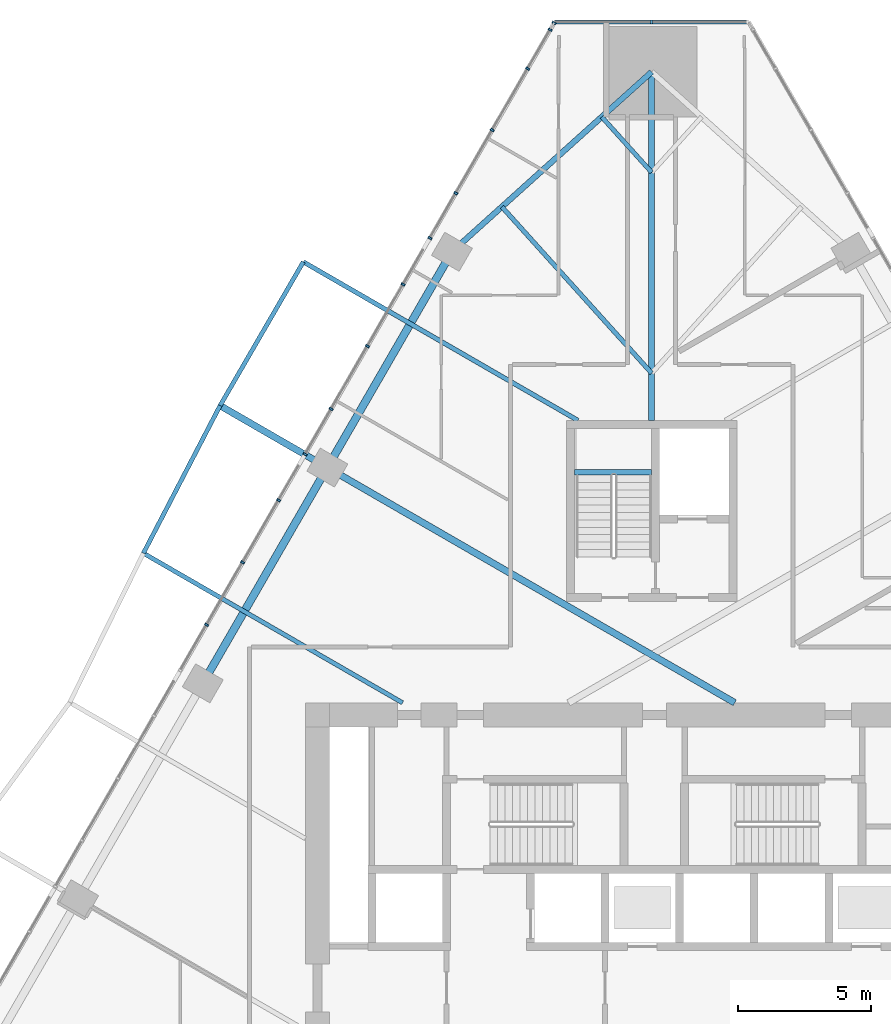
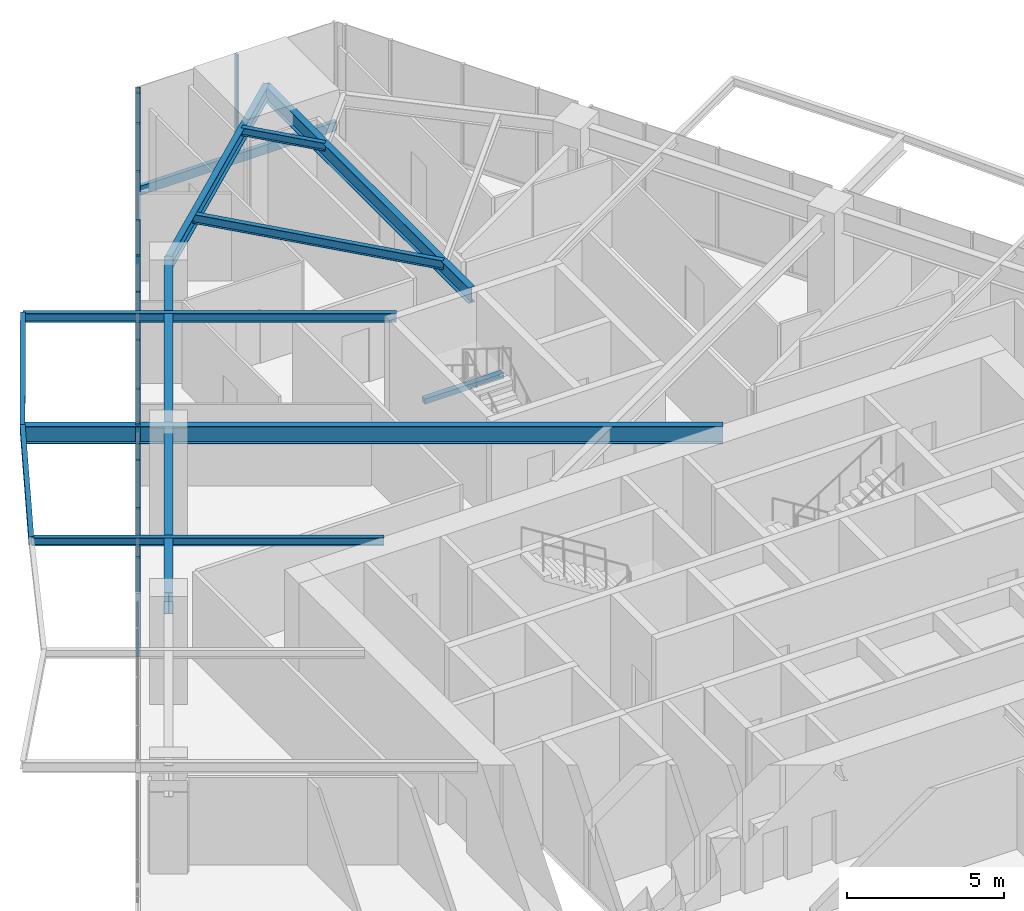
# One storey, part 9 of 22: 15 members, 11 beams, 2 elements without a shape of their own.
"""IFC4 building model written with IfcOpenShell, lengths in metres."""

from ifc_helpers import new_model, si_unit, direction, frame, origin, origin_2d, place, context, subcontext, project, spatial, rectangle, i_section, extrude, material, layer, layer_set, material_profile, profile_set, type_object, element, aggregate, save


model = new_model("IFC4")

# Units and contexts
model_context = context("Model", 3, precision=1e-05, world=origin(), true_north=direction((0.0, 1.0)))
body_context = subcontext(model_context, "Body", "Model", "MODEL_VIEW")
ifc_project = project(units=[si_unit("LENGTHUNIT", "METRE"), si_unit("AREAUNIT", "SQUARE_METRE"), si_unit("VOLUMEUNIT", "CUBIC_METRE"), si_unit("PLANEANGLEUNIT", "RADIAN"), si_unit("MASSUNIT", "GRAM", prefix="KILO")], contexts=[model_context])

# Site, building, storey
site_placement = place(None, origin())
site = spatial("IfcSite", under=ifc_project, at=site_placement, CompositionType="ELEMENT")
building_placement = place(site_placement, origin())
building = spatial("IfcBuilding", under=site, at=building_placement, Name="Firuza Gate Tower and Library", CompositionType="ELEMENT")
storey_placement = place(building_placement, frame((0.0, 0.0, 111.39990234375)))
storey = spatial("IfcBuildingStorey", under=building, at=storey_placement, Name="L25", CompositionType="ELEMENT", Elevation=111.39990234375)

# Curtain wall, member
ifc_material_1 = material(Name="Aluminium 6063-T6", Category="aluminium")
ifc_layer_1 = layer(ifc_material_1, 0.14990234375)
ifc_layer_set_1 = layer_set([ifc_layer_1], Name="Corner curtain wall, chamfers")
curtain_wall_type_1 = type_object("IfcCurtainWallType", Name="Corner curtain wall, chamfers", PredefinedType="NOTDEFINED", material=ifc_layer_set_1)
placement = place(storey_placement, origin())
curtain_wall_1 = element("IfcCurtainWall", 1, at=placement, inside=storey, type_object=curtain_wall_type_1, Name="CW4 L25 N corner", PredefinedType="NOTDEFINED")
ifc_material_2 = material(Name="Aluminium 6063-T6", Category="aluminium")
ifc_material_profile_1 = material_profile(ifc_material_2, rectangle(XDim=0.14990234375, YDim=0.080078125, at=origin_2d()))
ifc_profile_set_1 = profile_set([ifc_material_profile_1], Name="Aluminium 6063-T6")
member_type_1 = type_object("IfcMemberType", Name="Curtain wall mullion 80x150", PredefinedType="MULLION", material=ifc_profile_set_1)
member_1_placement = place(storey_placement, frame((75.0, 109.557373046875, 0.150146484375), z_axis=(0.0, 0.0, 1.0), x_axis=(0.0, -1.0, 0.0)))
member_1 = element("IfcMember", 2, at=member_1_placement, type_object=member_type_1, Name="Mullion", PredefinedType="MULLION", context=body_context, shape_type="SweptSolid", body=[
    extrude(rectangle(XDim=0.14990234375, YDim=0.080078125, at=origin_2d()), origin(), (0.0, 0.0, 1.0), 3.849853515625),
])

# Curtain wall, members
ifc_material_3 = material(Name="Aluminium 6063-T6", Category="aluminium")
ifc_layer_2 = layer(ifc_material_3, 0.14990234375)
ifc_layer_set_2 = layer_set([ifc_layer_2], Name="Unitised curtain wall, offices")
curtain_wall_type_2 = type_object("IfcCurtainWallType", Name="Unitised curtain wall, offices", PredefinedType="NOTDEFINED", material=ifc_layer_set_2)
curtain_wall_2 = element("IfcCurtainWall", 3, at=placement, inside=storey, type_object=curtain_wall_type_2, Name="CW1 L25 W face", PredefinedType="NOTDEFINED")
member_2_placement = place(storey_placement, frame((71.336669921875, 109.522705078125, 0.150146484375), z_axis=(0.0, 0.0, 1.0), x_axis=(0.866025403784, -0.5, 0.0)))
member_2 = element("IfcMember", 4, at=member_2_placement, type_object=member_type_1, Name="Mullion", PredefinedType="MULLION", context=body_context, shape_type="SweptSolid", body=[
    extrude(rectangle(XDim=0.14990234375, YDim=0.080078125, at=origin_2d()), origin(), (0.0, 0.0, 1.0), 3.849853515625),
])
member_3_placement = place(storey_placement, frame((69.0146484375, 105.500732421875, 0.150146484375), z_axis=(0.0, 0.0, 1.0), x_axis=(0.866025403784, -0.5, 0.0)))
member_3 = element("IfcMember", 5, at=member_3_placement, type_object=member_type_1, Name="Mullion", PredefinedType="MULLION", context=body_context, shape_type="SweptSolid", body=[
    extrude(rectangle(XDim=0.14990234375, YDim=0.080078125, at=origin_2d()), origin(), (0.0, 0.0, 1.0), 3.849853515625),
])
member_4_placement = place(storey_placement, frame((66.67236328125, 101.44384765625, 0.150146484375), z_axis=(0.0, 0.0, 1.0), x_axis=(0.866025403784, -0.5, 0.0)))
member_4 = element("IfcMember", 6, at=member_4_placement, type_object=member_type_1, Name="Mullion", PredefinedType="MULLION", context=body_context, shape_type="SweptSolid", body=[
    extrude(rectangle(XDim=0.14990234375, YDim=0.080078125, at=origin_2d()), origin(), (0.0, 0.0, 1.0), 3.849853515625),
])
member_5_placement = place(storey_placement, frame((64.330322265625, 97.38720703125, 0.150146484375), z_axis=(0.0, 0.0, 1.0), x_axis=(0.866025403784, -0.5, 0.0)))
member_5 = element("IfcMember", 7, at=member_5_placement, type_object=member_type_1, Name="Mullion", PredefinedType="MULLION", context=body_context, shape_type="SweptSolid", body=[
    extrude(rectangle(XDim=0.14990234375, YDim=0.080078125, at=origin_2d()), origin(), (0.0, 0.0, 1.0), 3.849853515625),
])
member_6_placement = place(storey_placement, frame((61.988037109375, 93.330322265625, 0.150146484375), z_axis=(0.0, 0.0, 1.0), x_axis=(0.866025403784, -0.5, 0.0)))
member_6 = element("IfcMember", 8, at=member_6_placement, type_object=member_type_1, Name="Mullion", PredefinedType="MULLION", context=body_context, shape_type="SweptSolid", body=[
    extrude(rectangle(XDim=0.14990234375, YDim=0.080078125, at=origin_2d()), origin(), (0.0, 0.0, 1.0), 3.849853515625),
])
member_7_placement = place(storey_placement, frame((59.64599609375, 89.273681640625, 0.150146484375), z_axis=(0.0, 0.0, 1.0), x_axis=(0.866025403784, -0.5, 0.0)))
member_7 = element("IfcMember", 9, at=member_7_placement, type_object=member_type_1, Name="Mullion", PredefinedType="MULLION", context=body_context, shape_type="SweptSolid", body=[
    extrude(rectangle(XDim=0.14990234375, YDim=0.080078125, at=origin_2d()), origin(), (0.0, 0.0, 1.0), 3.849853515625),
])
member_8_placement = place(storey_placement, frame((71.191162109375, 109.2705078125, 0.150146484375), z_axis=(0.0, 0.0, 1.0), x_axis=(0.866025403784, -0.5, 0.0)))
member_8 = element("IfcMember", 10, at=member_8_placement, type_object=member_type_1, Name="Mullion", PredefinedType="MULLION", context=body_context, shape_type="SweptSolid", body=[
    extrude(rectangle(XDim=0.14990234375, YDim=0.080078125, at=origin_2d()), origin(), (0.0, 0.0, 1.0), 3.849853515625),
])
member_9_placement = place(storey_placement, frame((70.346923828125, 107.808349609375, 0.150146484375), z_axis=(0.0, 0.0, 1.0), x_axis=(0.866025403784, -0.5, 0.0)))
member_9 = element("IfcMember", 11, at=member_9_placement, type_object=member_type_1, Name="Mullion", PredefinedType="MULLION", context=body_context, shape_type="SweptSolid", body=[
    extrude(rectangle(XDim=0.14990234375, YDim=0.080078125, at=origin_2d()), origin(), (0.0, 0.0, 1.0), 3.849853515625),
])
member_10_placement = place(storey_placement, frame((67.646240234375, 103.130615234375, 0.150146484375), z_axis=(0.0, 0.0, 1.0), x_axis=(0.866025403784, -0.5, 0.0)))
member_10 = element("IfcMember", 12, at=member_10_placement, type_object=member_type_1, Name="Mullion", PredefinedType="MULLION", context=body_context, shape_type="SweptSolid", body=[
    extrude(rectangle(XDim=0.14990234375, YDim=0.080078125, at=origin_2d()), origin(), (0.0, 0.0, 1.0), 3.849853515625),
])
member_11_placement = place(storey_placement, frame((65.669677734375, 99.707275390625, 0.150146484375), z_axis=(0.0, 0.0, 1.0), x_axis=(0.866025403784, -0.5, 0.0)))
member_11 = element("IfcMember", 13, at=member_11_placement, type_object=member_type_1, Name="Mullion", PredefinedType="MULLION", context=body_context, shape_type="SweptSolid", body=[
    extrude(rectangle(XDim=0.14990234375, YDim=0.080078125, at=origin_2d()), origin(), (0.0, 0.0, 1.0), 3.849853515625),
])
member_12_placement = place(storey_placement, frame((62.968994140625, 95.029541015625, 0.150146484375), z_axis=(0.0, 0.0, 1.0), x_axis=(0.866025403784, -0.5, 0.0)))
member_12 = element("IfcMember", 14, at=member_12_placement, type_object=member_type_1, Name="Mullion", PredefinedType="MULLION", context=body_context, shape_type="SweptSolid", body=[
    extrude(rectangle(XDim=0.14990234375, YDim=0.080078125, at=origin_2d()), origin(), (0.0, 0.0, 1.0), 3.849853515625),
])
member_13_placement = place(storey_placement, frame((60.99267578125, 91.606201171875, 0.150146484375), z_axis=(0.0, 0.0, 1.0), x_axis=(0.866025403784, -0.5, 0.0)))
member_13 = element("IfcMember", 15, at=member_13_placement, type_object=member_type_1, Name="Mullion", PredefinedType="MULLION", context=body_context, shape_type="SweptSolid", body=[
    extrude(rectangle(XDim=0.14990234375, YDim=0.080078125, at=origin_2d()), origin(), (0.0, 0.0, 1.0), 3.849853515625),
])
member_14_placement = place(storey_placement, frame((58.2919921875, 86.9287109375, 0.150146484375), z_axis=(0.0, 0.0, 1.0), x_axis=(0.866025403784, -0.5, 0.0)))
member_14 = element("IfcMember", 16, at=member_14_placement, type_object=member_type_1, Name="Mullion", PredefinedType="MULLION", context=body_context, shape_type="SweptSolid", body=[
    extrude(rectangle(XDim=0.14990234375, YDim=0.080078125, at=origin_2d()), origin(), (0.0, 0.0, 1.0), 3.849853515625),
])
aggregate(curtain_wall_2, [member_2, member_3, member_4, member_5, member_6, member_7, member_8, member_9, member_10, member_11, member_12, member_13, member_14])

# Member
ifc_material_4 = material(Name="Aluminium 6063-T6", Category="aluminium")
ifc_material_profile_2 = material_profile(ifc_material_4, rectangle(XDim=0.14990234375, YDim=0.35009765625, at=origin_2d()))
ifc_profile_set_2 = profile_set([ifc_material_profile_2], Name="Aluminium 6063-T6")
member_type_2 = type_object("IfcMemberType", Name="Curtain wall transom 350x150", PredefinedType="USERDEFINED", material=ifc_profile_set_2)
member_15_placement = place(storey_placement, frame((78.643310546875, 109.557373046875, -0.02490234375), z_axis=(-1.0, 0.0, 0.0), x_axis=(0.0, -1.0, 0.0)))
member_15 = element("IfcMember", 17, at=member_15_placement, type_object=member_type_2, Name="Transom", ObjectType="TRANSOM", PredefinedType="USERDEFINED", context=body_context, shape_type="SweptSolid", body=[
    extrude(rectangle(XDim=0.14990234375, YDim=0.35009765625, at=origin_2d()), origin(), (0.0, 0.0, 1.0), 7.28662109375),
])

aggregate(curtain_wall_1, [member_1, member_15])

# Beams
ifc_material_5 = material(Name="Concrete C35/45", Category="concrete")
ifc_material_profile_3 = material_profile(ifc_material_5, rectangle(XDim=0.199951171875, YDim=0.199951171875, at=origin_2d()))
ifc_profile_set_3 = profile_set([ifc_material_profile_3], Name="Concrete C35/45")
beam_type_1 = type_object("IfcBeamType", Name="Stair landing bearer 200x200", PredefinedType="BEAM", material=ifc_profile_set_3)
beam_1_placement = place(storey_placement, frame((75.0, 92.64990234375, 1.800048828125), z_axis=(-1.0, 0.0, 0.0), x_axis=(0.0, -1.0, 0.0)))
element("IfcBeam", 18, at=beam_1_placement, inside=storey, type_object=beam_type_1, Name="Landing bearer L25 stair 3", PredefinedType="BEAM", context=body_context, shape_type="SweptSolid", body=[
    extrude(rectangle(XDim=0.199951171875, YDim=0.199951171875, at=origin_2d()), origin(), (0.0, 0.0, 1.0), 2.89990234375),
])
ifc_material_6 = material(Name="Steel S355", Category="steel")
ifc_material_profile_4 = material_profile(ifc_material_6, i_section(OverallWidth=0.1650390625, OverallDepth=0.31005859375, WebThickness=0.005859375, FlangeThickness=0.009765625, at=origin_2d()))
ifc_profile_set_4 = profile_set([ifc_material_profile_4], Name="Steel S355")
beam_type_2 = type_object("IfcBeamType", Name="W310x39 Floor beam", PredefinedType="JOIST", material=ifc_profile_set_4)
beam_2_placement = place(storey_placement, frame((73.12548828125, 105.99462890625, 3.84521484375), z_axis=(0.669142865717, -0.743133786919, 0.0), x_axis=(0.743133786919, 0.669142865717, 0.0)))
element("IfcBeam", 19, at=beam_2_placement, inside=storey, type_object=beam_type_2, Name="Floor beam L25 s70", PredefinedType="JOIST", context=body_context, shape_type="SweptSolid", body=[
    extrude(i_section(OverallWidth=0.1650390625, OverallDepth=0.31005859375, WebThickness=0.005859375, FlangeThickness=0.009765625, at=origin_2d()), origin(), (0.0, 0.0, 1.0), 2.80126953125),
])
beam_3_placement = place(storey_placement, frame((55.919921875, 89.6162109375, 3.84521484375), z_axis=(0.866030311625, -0.499991499275, 0.0), x_axis=(0.499991499275, 0.866030311625, 0.0)))
element("IfcBeam", 20, at=beam_3_placement, inside=storey, type_object=beam_type_2, Name="Floor beam L25 s82", PredefinedType="JOIST", context=body_context, shape_type="SweptSolid", body=[
    extrude(i_section(OverallWidth=0.1650390625, OverallDepth=0.31005859375, WebThickness=0.005859375, FlangeThickness=0.009765625, at=origin_2d()), origin(), (0.0, 0.0, 1.0), 11.232666015625),
])
beam_4_placement = place(storey_placement, frame((61.923583984375, 100.5517578125, 3.84521484375), z_axis=(-0.501198303773, -0.865332456513, 0.0), x_axis=(0.865332456513, -0.501198303773, 0.0)))
element("IfcBeam", 21, at=beam_4_placement, inside=storey, type_object=beam_type_2, Name="Tray edge beam L25 s80-s81", PredefinedType="JOIST", context=body_context, shape_type="SweptSolid", body=[
    extrude(i_section(OverallWidth=0.1650390625, OverallDepth=0.31005859375, WebThickness=0.005859375, FlangeThickness=0.009765625, at=origin_2d()), origin(), (0.0, 0.0, 1.0), 6.236083984375),
])
beam_5_placement = place(storey_placement, frame((58.798095703125, 95.155517578125, 3.84521484375), z_axis=(-0.461067023022, -0.887365313882, 0.0), x_axis=(0.887365313882, -0.461067023022, 0.0)))
element("IfcBeam", 22, at=beam_5_placement, inside=storey, type_object=beam_type_2, Name="Tray edge beam L25 s81-s82", PredefinedType="JOIST", context=body_context, shape_type="SweptSolid", body=[
    extrude(i_section(OverallWidth=0.1650390625, OverallDepth=0.31005859375, WebThickness=0.005859375, FlangeThickness=0.009765625, at=origin_2d()), origin(), (0.0, 0.0, 1.0), 6.242431640625),
])
ifc_material_7 = material(Name="Steel S355", Category="steel")
ifc_material_profile_5 = material_profile(ifc_material_7, i_section(OverallWidth=0.1708984375, OverallDepth=0.35498046875, WebThickness=0.007080078125, FlangeThickness=0.01171875, at=origin_2d()))
ifc_profile_set_5 = profile_set([ifc_material_profile_5], Name="Steel S355")
beam_type_3 = type_object("IfcBeamType", Name="W360x51 Floor beam", PredefinedType="JOIST", material=ifc_profile_set_5)
beam_6_placement = place(storey_placement, frame((69.376708984375, 102.619140625, 3.822509765625), z_axis=(0.669141268318, -0.743135225267, 0.0), x_axis=(0.743135225267, 0.669141268318, 0.0)))
element("IfcBeam", 23, at=beam_6_placement, inside=storey, type_object=beam_type_3, Name="Floor beam L25 s71", PredefinedType="JOIST", context=body_context, shape_type="SweptSolid", body=[
    extrude(i_section(OverallWidth=0.1708984375, OverallDepth=0.35498046875, WebThickness=0.007080078125, FlangeThickness=0.01171875, at=origin_2d()), origin(), (0.0, 0.0, 1.0), 8.40380859375),
])
beam_7_placement = place(storey_placement, frame((61.923583984375, 100.5517578125, 3.822509765625), z_axis=(0.866030866614, -0.499990537983, 0.0), x_axis=(0.499990537983, 0.866030866614, 0.0)))
element("IfcBeam", 24, at=beam_7_placement, inside=storey, type_object=beam_type_3, Name="Floor beam L25 s80", PredefinedType="JOIST", context=body_context, shape_type="SweptSolid", body=[
    extrude(i_section(OverallWidth=0.1708984375, OverallDepth=0.35498046875, WebThickness=0.007080078125, FlangeThickness=0.01171875, at=origin_2d()), origin(), (0.0, 0.0, 1.0), 11.903564453125),
])
ifc_material_8 = material(Name="Steel S355", Category="steel")
ifc_material_profile_6 = material_profile(ifc_material_8, i_section(OverallWidth=0.212890625, OverallDepth=0.5390625, WebThickness=0.01171875, FlangeThickness=0.018798828125, at=origin_2d()))
ifc_profile_set_6 = profile_set([ifc_material_profile_6], Name="Steel S355")
beam_type_4 = type_object("IfcBeamType", Name="W530x109 Edge beam", PredefinedType="SPANDREL", material=ifc_profile_set_6)
beam_8_placement = place(storey_placement, frame((75.0, 107.682373046875, 3.730712890625), z_axis=(-0.743148538836, -0.669126482234, 0.0), x_axis=(0.669126482234, -0.743148538836, 0.0)))
element("IfcBeam", 25, at=beam_8_placement, inside=storey, type_object=beam_type_4, Name="Edge beam L25 e70", PredefinedType="SPANDREL", context=body_context, shape_type="SweptSolid", body=[
    extrude(i_section(OverallWidth=0.212890625, OverallDepth=0.5390625, WebThickness=0.01171875, FlangeThickness=0.018798828125, at=origin_2d()), origin(), (0.0, 0.0, 1.0), 10.08935546875),
])
ifc_material_9 = material(Name="Steel S355", Category="steel")
ifc_material_profile_7 = material_profile(ifc_material_9, i_section(OverallWidth=0.22802734375, OverallDepth=0.60302734375, WebThickness=0.010498046875, FlangeThickness=0.014892578125, at=origin_2d()))
ifc_profile_set_7 = profile_set([ifc_material_profile_7], Name="Steel S355")
beam_type_5 = type_object("IfcBeamType", Name="W610x101 Girder", PredefinedType="BEAM", material=ifc_profile_set_7)
beam_9_placement = place(storey_placement, frame((75.0, 107.682373046875, 3.698486328125), z_axis=(0.0, -1.0, 0.0), x_axis=(1.0, 0.0, 0.0)))
element("IfcBeam", 26, at=beam_9_placement, inside=storey, type_object=beam_type_5, Name="Girder L25 gN", PredefinedType="BEAM", context=body_context, shape_type="SweptSolid", body=[
    extrude(i_section(OverallWidth=0.22802734375, OverallDepth=0.60302734375, WebThickness=0.010498046875, FlangeThickness=0.014892578125, at=origin_2d()), origin(), (0.0, 0.0, 1.0), 13.082275390625),
])
ifc_material_10 = material(Name="Steel S355", Category="steel")
ifc_material_profile_8 = material_profile(ifc_material_10, i_section(OverallWidth=0.2529296875, OverallDepth=0.677978515625, WebThickness=0.01171875, FlangeThickness=0.016357421875, at=origin_2d()))
ifc_profile_set_8 = profile_set([ifc_material_profile_8], Name="Steel S355")
beam_type_6 = type_object("IfcBeamType", Name="W690x125 Floor beam", PredefinedType="JOIST", material=ifc_profile_set_8)
beam_10_placement = place(storey_placement, frame((58.798095703125, 95.155517578125, 3.6611328125), z_axis=(0.866023769083, -0.500002831375, 0.0), x_axis=(0.500002831375, 0.866023769083, 0.0)))
element("IfcBeam", 27, at=beam_10_placement, inside=storey, type_object=beam_type_6, Name="Floor beam L25 s81", PredefinedType="JOIST", context=body_context, shape_type="SweptSolid", body=[
    extrude(i_section(OverallWidth=0.2529296875, OverallDepth=0.677978515625, WebThickness=0.01171875, FlangeThickness=0.016357421875, at=origin_2d()), origin(), (0.0, 0.0, 1.0), 22.310791015625),
])
ifc_material_11 = material(Name="Steel S355", Category="steel")
ifc_material_profile_9 = material_profile(ifc_material_11, i_section(OverallWidth=0.2919921875, OverallDepth=0.8349609375, WebThickness=0.013916015625, FlangeThickness=0.018798828125, at=origin_2d()))
ifc_profile_set_9 = profile_set([ifc_material_profile_9], Name="Steel S355")
beam_type_7 = type_object("IfcBeamType", Name="W840x176 Edge beam", PredefinedType="SPANDREL", material=ifc_profile_set_9)
beam_11_placement = place(storey_placement, frame((67.502197265625, 100.931396484375, 3.58251953125), z_axis=(-0.499993188785, -0.866029336205, 0.0), x_axis=(0.866029336205, -0.499993188785, 0.0)))
element("IfcBeam", 28, at=beam_11_placement, inside=storey, type_object=beam_type_7, Name="Edge beam L25 e80", PredefinedType="SPANDREL", context=body_context, shape_type="SweptSolid", body=[
    extrude(i_section(OverallWidth=0.2919921875, OverallDepth=0.8349609375, WebThickness=0.013916015625, FlangeThickness=0.018798828125, at=origin_2d()), origin(), (0.0, 0.0, 1.0), 18.708251953125),
])

save(model, "model.ifc")
